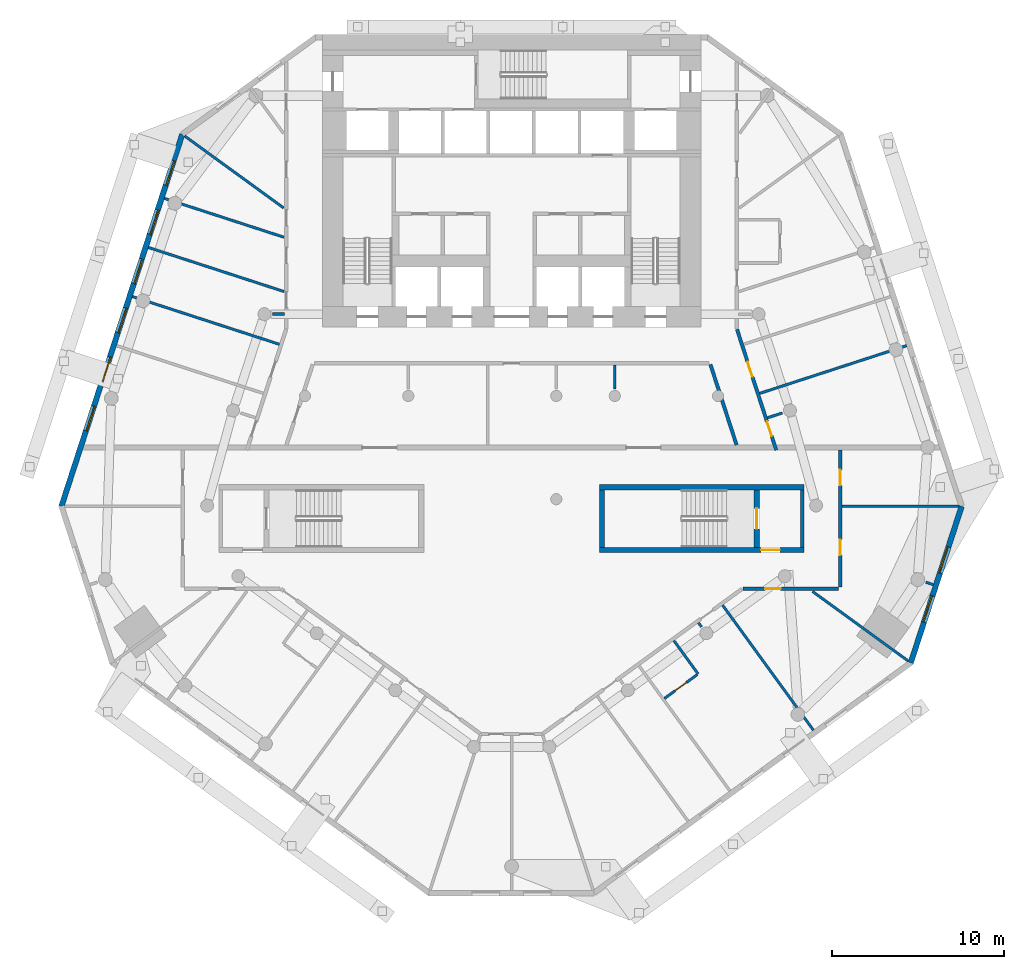
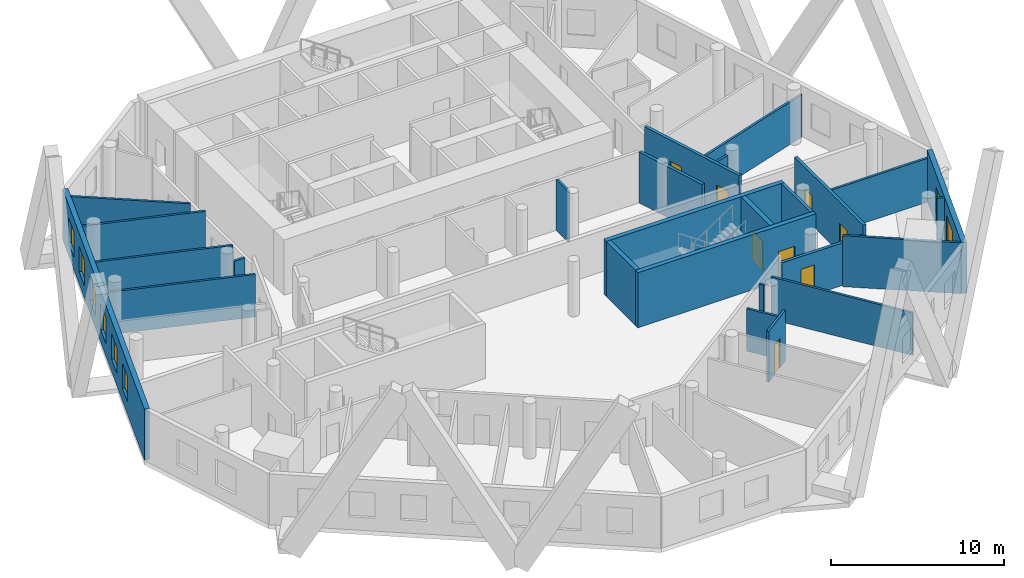
# One storey, part 5 of 10: 26 walls, 8 doors, 8 windows, 16 openings.
"""IFC4 building model written with IfcOpenShell, lengths in metres."""

import ifcopenshell
import ifcopenshell.guid

model = None  # the IFC model being written
_history = None  # IfcOwnerHistory: only IFC2X3 demands one
_inside = {}  # id of a spatial element -> (the spatial element, [elements in it])
_under = {}  # id of a project, library or spatial element -> (it, [spatial elements below it])
_declared = {}  # id of a project -> (the project, [libraries it declares])
_typed = {}  # id of a type object -> (the type object, [elements of that type])
_made_of = {}  # id of a material, layer set ... -> (it, [elements and type objects made of it])


def new_model(schema):
    """Start an empty IFC model of exactly this schema.

    Asked for "IFC4X3", IfcOpenShell would pick the latest addendum, in which some entities
    have other attributes; the version numbers below select the first issue.
    IFC2X3 requires an IfcOwnerHistory on every rooted entity: one is made here for all.
    """
    global model, _history
    if schema == "IFC4X3":
        model = ifcopenshell.file(schema_version=(4, 3, 0, 0))
    else:
        model = ifcopenshell.file(schema=schema)
    _inside.clear()
    _under.clear()
    _declared.clear()
    _typed.clear()
    _made_of.clear()
    _history = None
    if model.schema == "IFC2X3":
        org = make("IfcOrganization", Name="unknown")
        user = make(
            "IfcPersonAndOrganization",
            ThePerson=make("IfcPerson", FamilyName="unknown"),
            TheOrganization=org,
        )
        app = make(
            "IfcApplication",
            ApplicationDeveloper=org,
            Version="unknown",
            ApplicationFullName="unknown",
            ApplicationIdentifier="unknown",
        )
        _history = make(
            "IfcOwnerHistory",
            OwningUser=user,
            OwningApplication=app,
            ChangeAction="ADDED",
            CreationDate=0,
        )
    return model


def make(cls, **values):
    """One entity of the class cls with the attributes given. An attribute that is None is left unset."""
    return model.create_entity(
        cls, **{name: value for name, value in values.items() if value is not None}
    )


def rooted(cls, **values):
    """An entity with a GlobalId (a new one), such as an element, a storey or a relation."""
    return make(cls, GlobalId=ifcopenshell.guid.new(), OwnerHistory=_history, **values)


def si_unit(unit_type, name, prefix=None):
    """IfcSIUnit, for example si_unit("LENGTHUNIT", "METRE", prefix="MILLI")."""
    return make("IfcSIUnit", UnitType=unit_type, Prefix=prefix, Name=name)


def assignment(units):
    """IfcUnitAssignment: the units of a project."""
    return None if units is None else make("IfcUnitAssignment", Units=units)


def point(xyz):
    """IfcCartesianPoint."""
    return None if xyz is None else make("IfcCartesianPoint", Coordinates=xyz)


def direction(xyz):
    """IfcDirection."""
    return None if xyz is None else make("IfcDirection", DirectionRatios=xyz)


def frame(location, z_axis=None, x_axis=None):
    """IfcAxis2Placement3D, a coordinate frame: its origin and axes. An axis left out is left unset."""
    return make(
        "IfcAxis2Placement3D",
        Location=point(location),
        Axis=direction(z_axis),
        RefDirection=direction(x_axis),
    )


def frame_2d(location, x_axis=None):
    """IfcAxis2Placement2D, a coordinate frame in the plane: its origin and x axis."""
    return make(
        "IfcAxis2Placement2D", Location=point(location), RefDirection=direction(x_axis)
    )


def origin():
    """The frame at (0, 0, 0) with its axes left unset."""
    return frame((0.0, 0.0, 0.0))


def place(relative_to, where):
    """IfcLocalPlacement: puts the frame where relative to a parent placement (None: the world)."""
    return make(
        "IfcLocalPlacement", PlacementRelTo=relative_to, RelativePlacement=where
    )


def context(
    kind, dimensions, precision=None, world=None, true_north=None, identifier=None
):
    """IfcGeometricRepresentationContext, for example the 3D "Model" context."""
    return make(
        "IfcGeometricRepresentationContext",
        ContextIdentifier=identifier,
        ContextType=kind,
        CoordinateSpaceDimension=dimensions,
        Precision=precision,
        WorldCoordinateSystem=world,
        TrueNorth=true_north,
    )


def subcontext(parent, identifier, kind, view, scale=None):
    """IfcGeometricRepresentationSubContext, for example "Body" below "Model"."""
    return make(
        "IfcGeometricRepresentationSubContext",
        ContextIdentifier=identifier,
        ContextType=kind,
        ParentContext=parent,
        TargetScale=scale,
        TargetView=view,
    )


def project(units=None, contexts=None):
    """IfcProject with its units and contexts."""
    return rooted(
        "IfcProject",
        Name="project",
        RepresentationContexts=contexts,
        UnitsInContext=assignment(units),
    )


def spatial(cls, under=None, at=None, **own):
    """A site, building, storey or space (cls), placed at a placement, below another one or the project."""
    s = rooted(cls, ObjectPlacement=at, **own)
    if under is not None:
        _under.setdefault(under.id(), (under, []))[1].append(s)
    return s


def profile(cls, at=None, kind="AREA", **sizes):
    """A parametric profile (cls). Its sizes go by their IFC names, for example OverallWidth=200.0."""
    return make(cls, ProfileType=kind, Position=at, **sizes)


def rectangle(**sizes):
    """IfcRectangleProfileDef."""
    return profile("IfcRectangleProfileDef", **sizes)


def extrude(swept, where, along, depth):
    """IfcExtrudedAreaSolid: the profile swept, set in the frame where, extruded along a direction by depth."""
    return make(
        "IfcExtrudedAreaSolid",
        SweptArea=swept,
        Position=where,
        ExtrudedDirection=direction(along),
        Depth=depth,
    )


def shape(context_of_items, identifier, shape_type, items):
    """IfcShapeRepresentation: the items that make up one representation, for example the "Body"."""
    return make(
        "IfcShapeRepresentation",
        ContextOfItems=context_of_items,
        RepresentationIdentifier=identifier,
        RepresentationType=shape_type,
        Items=items,
    )


def material(Name=None, Category=None):
    """IfcMaterial."""
    return make("IfcMaterial", Name=Name, Category=Category)


def layer(
    of_material, thickness, ventilated=None, Name=None, Category=None, Priority=None
):
    """IfcMaterialLayer: one layer of a wall or slab, of a material (None: an air gap)."""
    return make(
        "IfcMaterialLayer",
        Material=of_material,
        LayerThickness=thickness,
        IsVentilated=ventilated,
        Name=Name,
        Category=Category,
        Priority=Priority,
    )


def layer_set(layers, Name=None):
    """IfcMaterialLayerSet."""
    return make("IfcMaterialLayerSet", MaterialLayers=layers, LayerSetName=Name)


def made_of(thing, what):
    """Note that an element or type object is made of a material, layer set ...; save() writes the relation."""
    if what is not None:
        _made_of.setdefault(what.id(), (what, []))[1].append(thing)
    return thing


def type_object(cls, material=None, **own):
    """A type object (cls), such as IfcWallType, which elements share."""
    return made_of(rooted(cls, **own), material)


def element(
    cls,
    number,
    at=None,
    inside=None,
    cuts=None,
    type_object=None,
    material=None,
    context=None,
    identifier="Body",
    shape_type=None,
    held_by="IfcProductDefinitionShape",
    body=None,
    shapes=None,
    **own,
):
    """One element of the class cls, such as IfcWall. Its Tag is "e" and its number.

    at: its placement. inside: the storey or other place that contains it. cuts: it is an
    opening in that element (IfcRelVoidsElement). A single representation is given by context,
    identifier, shape_type and body (its items); several are given by shapes. held_by: the class
    of the entity that holds the representations. save() writes the other relations.
    """
    e = rooted(cls, Tag="e%d" % number, ObjectPlacement=at, **own)
    if body is not None:
        shapes = [shape(context, identifier, shape_type, body)]
    if shapes is not None:
        e.Representation = make(held_by, Representations=shapes)
    if inside is not None:
        _inside.setdefault(inside.id(), (inside, []))[1].append(e)
    if cuts is not None:
        rooted(
            "IfcRelVoidsElement", RelatingBuildingElement=cuts, RelatedOpeningElement=e
        )
    if type_object is not None:
        _typed.setdefault(type_object.id(), (type_object, []))[1].append(e)
    return made_of(e, material)


def fill(opening, filler):
    """IfcRelFillsElement: the door or window that sits in an opening."""
    return rooted(
        "IfcRelFillsElement",
        RelatingOpeningElement=opening,
        RelatedBuildingElement=filler,
    )


def aggregate(whole, parts):
    """IfcRelAggregates: a whole, such as a stair, and the parts it consists of."""
    return rooted("IfcRelAggregates", RelatingObject=whole, RelatedObjects=parts)


def save(model, path):
    """Write the relations noted so far, then the file.

    IfcRelAggregates (storeys below a building ...), IfcRelContainedInSpatialStructure (elements
    in a storey), IfcRelDefinesByType, IfcRelAssociatesMaterial and IfcRelDeclares: one each for
    every whole, place, type object, material and project.
    """
    for whole, parts in _under.values():
        aggregate(whole, parts)
    for where, things in _inside.values():
        rooted(
            "IfcRelContainedInSpatialStructure",
            RelatedElements=things,
            RelatingStructure=where,
        )
    for kind, things in _typed.values():
        rooted("IfcRelDefinesByType", RelatedObjects=things, RelatingType=kind)
    for what, things in _made_of.values():
        rooted("IfcRelAssociatesMaterial", RelatedObjects=things, RelatingMaterial=what)
    for by, libraries in _declared.values():
        rooted("IfcRelDeclares", RelatingContext=by, RelatedDefinitions=libraries)
    model.write(path)


model = new_model("IFC4")

# Units and contexts
model_context = context("Model", 3, precision=1e-05, world=origin(), true_north=direction((0.0, 1.0)))
body_context = subcontext(model_context, "Body", "Model", "MODEL_VIEW")
ifc_project = project(units=[si_unit("LENGTHUNIT", "METRE"), si_unit("AREAUNIT", "SQUARE_METRE"), si_unit("VOLUMEUNIT", "CUBIC_METRE"), si_unit("PLANEANGLEUNIT", "RADIAN"), si_unit("MASSUNIT", "GRAM", prefix="KILO")], contexts=[model_context])

# Site, building, storey
site_placement = place(None, origin())
site = spatial("IfcSite", under=ifc_project, at=site_placement, CompositionType="ELEMENT")
building_placement = place(site_placement, origin())
building = spatial("IfcBuilding", under=site, at=building_placement, Name="White Candle Pilgrim Tower", CompositionType="ELEMENT")
storey_placement = place(building_placement, frame((0.0, 0.0, 42.89990234375)))
storey = spatial("IfcBuildingStorey", under=building, at=storey_placement, Name="L07", CompositionType="ELEMENT", Elevation=42.89990234375)

# Wall
ifc_material_1 = material(Name="Concrete C70/85", Category="concrete")
ifc_layer_1 = layer(ifc_material_1, 0.199951171875)
ifc_layer_set_1 = layer_set([ifc_layer_1], Name="Core wall 200 mm Concrete C70/85")
wall_type_1 = type_object("IfcWallType", Name="Core wall 200 mm Concrete C70/85", PredefinedType="SHEAR", material=ifc_layer_set_1)
wall_1_placement = place(storey_placement, frame((86.89990234375, 58.199951171875, 0.0), z_axis=(0.0, 0.0, 1.0), x_axis=(0.0, 1.0, 0.0)))
element("IfcWall", 1, at=wall_1_placement, inside=storey, type_object=wall_type_1, Name="WL-L07-C08", PredefinedType="SHEAR", context=body_context, shape_type="SweptSolid", body=[
    extrude(rectangle(XDim=3.35009765625, YDim=0.199951171875, at=frame_2d((1.675048828125, 0.0))), origin(), (0.0, 0.0, 1.0), 3.900146484375),
])

# Wall, openings, doors
ifc_material_2 = material(Name="Gypsum board on steel studs", Category="steel")
ifc_layer_2 = layer(ifc_material_2, 0.199951171875)
ifc_layer_set_2 = layer_set([ifc_layer_2], Name="Corridor wall 200 mm EI 45")
wall_type_2 = type_object("IfcWallType", Name="Corridor wall 200 mm EI 45", PredefinedType="PARTITIONING", material=ifc_layer_set_2)
wall_2_placement = place(storey_placement, frame((83.10498046875, 70.866455078125, 0.0), z_axis=(0.0, 0.0, 1.0), x_axis=(0.309020970938, -0.951055224222, 0.0)))
wall_2 = element("IfcWall", 2, at=wall_2_placement, inside=storey, type_object=wall_type_2, Name="WL-L07-P005", PredefinedType="PARTITIONING", context=body_context, shape_type="SweptSolid", body=[
    extrude(rectangle(XDim=7.37744140625, YDim=0.199951171875, at=frame_2d((3.688720703125, 0.0))), origin(), (0.0, 0.0, 1.0), 3.60009765625),
])
opening_1_placement = place(wall_2_placement, frame((1.990966796875, 0.0, 0.0)))
opening_1 = element("IfcOpeningElement", 3, at=opening_1_placement, cuts=wall_2, Name="Opening T02-130", PredefinedType="OPENING", context=body_context, shape_type="SweptSolid", body=[
    extrude(rectangle(XDim=0.89990234375, YDim=2.10009765625, at=frame_2d((0.449951171875, 1.050048828125))), frame((0.0, 0.10986328125, 0.0), z_axis=(0.0, -1.0, 0.0), x_axis=(1.0, 0.0, 0.0)), (0.0, 0.0, 1.0), 0.219970703125),
])
opening_2_placement = place(wall_2_placement, frame((5.619140625, 0.0, 0.0)))
opening_2 = element("IfcOpeningElement", 4, at=opening_2_placement, cuts=wall_2, Name="Opening T02-131", PredefinedType="OPENING", context=body_context, shape_type="SweptSolid", body=[
    extrude(rectangle(XDim=0.89990234375, YDim=2.10009765625, at=frame_2d((0.449951171875, 1.050048828125))), frame((0.0, 0.10986328125, 0.0), z_axis=(0.0, -1.0, 0.0), x_axis=(1.0, 0.0, 0.0)), (0.0, 0.0, 1.0), 0.219970703125),
])
ifc_material_3 = material(Name="Steel door leaf", Category="steel")
door_type_1 = type_object("IfcDoorType", Name="Fire door 900 x 2100 EI 30", OperationType="NOTDEFINED", PredefinedType="DOOR", material=ifc_material_3)
door_1_placement = place(opening_1_placement, origin())
door_1 = element("IfcDoor", 5, at=door_1_placement, inside=storey, type_object=door_type_1, Name="Door T02-130", OperationType="SINGLE_SWING_RIGHT", OverallHeight=2.10009765625, OverallWidth=0.89990234375, PredefinedType="DOOR", context=body_context, shape_type="SweptSolid", body=[
    extrude(rectangle(XDim=0.89990234375, YDim=2.10009765625, at=frame_2d((0.449951171875, 1.050048828125))), frame((0.0, 0.02490234375, 0.0), z_axis=(0.0, -1.0, 0.0), x_axis=(1.0, 0.0, 0.0)), (0.0, 0.0, 1.0), 0.050048828125),
])
fill(opening_1, door_1)
door_2_placement = place(opening_2_placement, origin())
door_2 = element("IfcDoor", 6, at=door_2_placement, inside=storey, type_object=door_type_1, Name="Door T02-131", OperationType="SINGLE_SWING_LEFT", OverallHeight=2.10009765625, OverallWidth=0.89990234375, PredefinedType="DOOR", context=body_context, shape_type="SweptSolid", body=[
    extrude(rectangle(XDim=0.89990234375, YDim=2.10009765625, at=frame_2d((0.449951171875, 1.050048828125))), frame((0.0, 0.02490234375, 0.0), z_axis=(0.0, -1.0, 0.0), x_axis=(1.0, 0.0, 0.0)), (0.0, 0.0, 1.0), 0.050048828125),
])
fill(opening_2, door_2)

wall_3_placement = place(storey_placement, frame((89.10009765625, 63.85009765625, 0.0), z_axis=(0.0, 0.0, 1.0), x_axis=(0.0, -1.0, 0.0)))
wall_3 = element("IfcWall", 7, at=wall_3_placement, inside=storey, type_object=wall_type_2, Name="WL-L07-P006", PredefinedType="PARTITIONING", context=body_context, shape_type="SweptSolid", body=[
    extrude(rectangle(XDim=7.9501953125, YDim=0.199951171875, at=frame_2d((3.97509765625, 0.0))), origin(), (0.0, 0.0, 1.0), 3.60009765625),
])
opening_3_placement = place(wall_3_placement, frame((5.204345703125, 0.0, 0.0)))
opening_3 = element("IfcOpeningElement", 8, at=opening_3_placement, cuts=wall_3, Name="Opening T02-115", PredefinedType="OPENING", context=body_context, shape_type="SweptSolid", body=[
    extrude(rectangle(XDim=0.89990234375, YDim=2.10009765625, at=frame_2d((0.449951171875, 1.050048828125))), frame((0.0, 0.10986328125, 0.0), z_axis=(0.0, -1.0, 0.0), x_axis=(1.0, 0.0, 0.0)), (0.0, 0.0, 1.0), 0.219970703125),
])
opening_4_placement = place(wall_3_placement, frame((1.141845703125, 0.0, 0.0)))
opening_4 = element("IfcOpeningElement", 9, at=opening_4_placement, cuts=wall_3, Name="Opening T02-132", PredefinedType="OPENING", context=body_context, shape_type="SweptSolid", body=[
    extrude(rectangle(XDim=0.89990234375, YDim=2.10009765625, at=frame_2d((0.449951171875, 1.050048828125))), frame((0.0, 0.10986328125, 0.0), z_axis=(0.0, -1.0, 0.0), x_axis=(1.0, 0.0, 0.0)), (0.0, 0.0, 1.0), 0.219970703125),
])
door_3_placement = place(opening_3_placement, origin())
door_3 = element("IfcDoor", 10, at=door_3_placement, inside=storey, type_object=door_type_1, Name="Door T02-115", OperationType="SINGLE_SWING_LEFT", OverallHeight=2.10009765625, OverallWidth=0.89990234375, PredefinedType="DOOR", context=body_context, shape_type="SweptSolid", body=[
    extrude(rectangle(XDim=0.89990234375, YDim=2.10009765625, at=frame_2d((0.449951171875, 1.050048828125))), frame((0.0, 0.02490234375, 0.0), z_axis=(0.0, -1.0, 0.0), x_axis=(1.0, 0.0, 0.0)), (0.0, 0.0, 1.0), 0.050048828125),
])
fill(opening_3, door_3)
door_4_placement = place(opening_4_placement, origin())
door_4 = element("IfcDoor", 11, at=door_4_placement, inside=storey, type_object=door_type_1, Name="Door T02-132", OperationType="SINGLE_SWING_RIGHT", OverallHeight=2.10009765625, OverallWidth=0.89990234375, PredefinedType="DOOR", context=body_context, shape_type="SweptSolid", body=[
    extrude(rectangle(XDim=0.89990234375, YDim=2.10009765625, at=frame_2d((0.449951171875, 1.050048828125))), frame((0.0, 0.02490234375, 0.0), z_axis=(0.0, -1.0, 0.0), x_axis=(1.0, 0.0, 0.0)), (0.0, 0.0, 1.0), 0.050048828125),
])
fill(opening_4, door_4)

# Wall, opening, door
wall_4_placement = place(storey_placement, frame((89.0, 55.800048828125, 0.0), z_axis=(0.0, 0.0, 1.0), x_axis=(-1.0, 0.0, 0.0)))
wall_4 = element("IfcWall", 12, at=wall_4_placement, inside=storey, type_object=wall_type_2, Name="WL-L07-P007", PredefinedType="PARTITIONING", context=body_context, shape_type="SweptSolid", body=[
    extrude(rectangle(XDim=5.55419921875, YDim=0.199951171875, at=frame_2d((2.777099609375, 0.0))), origin(), (0.0, 0.0, 1.0), 3.0),
])
opening_5_placement = place(wall_4_placement, frame((3.35791015625, 0.0, 0.0)))
opening_5 = element("IfcOpeningElement", 13, at=opening_5_placement, cuts=wall_4, Name="Opening T02-114", PredefinedType="OPENING", context=body_context, shape_type="SweptSolid", body=[
    extrude(rectangle(XDim=0.89990234375, YDim=2.10009765625, at=frame_2d((0.449951171875, 1.050048828125))), frame((0.0, 0.10986328125, 0.0), z_axis=(0.0, -1.0, 0.0), x_axis=(1.0, 0.0, 0.0)), (0.0, 0.0, 1.0), 0.219970703125),
])
door_5_placement = place(opening_5_placement, origin())
door_5 = element("IfcDoor", 14, at=door_5_placement, inside=storey, type_object=door_type_1, Name="Door T02-114", OperationType="SINGLE_SWING_RIGHT", OverallHeight=2.10009765625, OverallWidth=0.89990234375, PredefinedType="DOOR", context=body_context, shape_type="SweptSolid", body=[
    extrude(rectangle(XDim=0.89990234375, YDim=2.10009765625, at=frame_2d((0.449951171875, 1.050048828125))), frame((0.0, 0.02490234375, 0.0), z_axis=(0.0, -1.0, 0.0), x_axis=(1.0, 0.0, 0.0)), (0.0, 0.0, 1.0), 0.050048828125),
])
fill(opening_5, door_5)

# Wall
wall_5_placement = place(storey_placement, frame((83.0791015625, 64.14990234375, 0.0), z_axis=(0.0, 0.0, 1.0), x_axis=(-0.309031112369, 0.951051928965, 0.0)))
element("IfcWall", 15, at=wall_5_placement, inside=storey, type_object=wall_type_2, Name="WL-L07-P015", PredefinedType="PARTITIONING", context=body_context, shape_type="SweptSolid", body=[
    extrude(rectangle(XDim=4.921875, YDim=0.199951171875, at=frame_2d((2.4609375, 0.0))), origin(), (0.0, 0.0, 1.0), 3.60009765625),
])

# Wall, openings, windows
ifc_material_4 = material(Name="Precast concrete C40/50", Category="concrete")
ifc_layer_3 = layer(ifc_material_4, 0.320068359375)
ifc_layer_set_3 = layer_set([ifc_layer_3], Name="Facade wall EW1 precast concrete C40/50 pier wall with timber-lined reveals")
wall_type_3 = type_object("IfcWallType", Name="Facade wall EW1 precast concrete C40/50 pier wall with timber-lined reveals", PredefinedType="SOLIDWALL", material=ifc_layer_set_3)
wall_6_placement = place(storey_placement, frame((93.2021484375, 51.49072265625, 0.0), z_axis=(0.0, 0.0, 1.0), x_axis=(0.309023765379, 0.951054316236, 0.0)))
wall_6 = element("IfcWall", 16, at=wall_6_placement, inside=storey, type_object=wall_type_3, Name="Facade wall L07 E chamfer", PredefinedType="SOLIDWALL", context=body_context, shape_type="SweptSolid", body=[
    extrude(rectangle(XDim=9.56884765625, YDim=0.320068359375, at=frame_2d((4.784423828125, 0.0))), origin(), (0.0, 0.0, 1.0), 3.60009765625),
])
opening_6_placement = place(wall_6_placement, frame((2.484375, 0.0, 0.89990234375)))
opening_6 = element("IfcOpeningElement", 17, at=opening_6_placement, cuts=wall_6, Name="Opening W2", PredefinedType="OPENING", context=body_context, shape_type="SweptSolid", body=[
    extrude(rectangle(XDim=1.60009765625, YDim=1.800048828125, at=frame_2d((0.800048828125, 0.89990234375))), frame((0.0, 0.169921875, 0.0), z_axis=(0.0, -1.0, 0.0), x_axis=(1.0, 0.0, 0.0)), (0.0, 0.0, 1.0), 0.340087890625),
])
opening_7_placement = place(wall_6_placement, frame((5.484375, 0.0, 0.89990234375)))
opening_7 = element("IfcOpeningElement", 18, at=opening_7_placement, cuts=wall_6, Name="Opening W2", PredefinedType="OPENING", context=body_context, shape_type="SweptSolid", body=[
    extrude(rectangle(XDim=1.60009765625, YDim=1.800048828125, at=frame_2d((0.800048828125, 0.89990234375))), frame((0.0, 0.169921875, 0.0), z_axis=(0.0, -1.0, 0.0), x_axis=(1.0, 0.0, 0.0)), (0.0, 0.0, 1.0), 0.340087890625),
])
ifc_material_5 = material(Name="Timber frame with triple glazing", Category="wood")
window_type_1 = type_object("IfcWindowType", Name="Window W2 1600x1800 timber frame triple glazing", PartitioningType="SINGLE_PANEL", PredefinedType="WINDOW", material=ifc_material_5)
window_1_placement = place(opening_6_placement, origin())
window_1 = element("IfcWindow", 19, at=window_1_placement, inside=storey, type_object=window_type_1, Name="Window W2 L07 E chamfer 1", OverallHeight=1.800048828125, OverallWidth=1.60009765625, PartitioningType="SINGLE_PANEL", PredefinedType="WINDOW", context=body_context, shape_type="SweptSolid", body=[
    extrude(rectangle(XDim=1.60009765625, YDim=1.800048828125, at=frame_2d((0.800048828125, 0.89990234375))), frame((0.0, 0.070068359375, 0.0), z_axis=(0.0, -1.0, 0.0), x_axis=(1.0, 0.0, 0.0)), (0.0, 0.0, 1.0), 0.06005859375),
])
fill(opening_6, window_1)
window_2_placement = place(opening_7_placement, origin())
window_2 = element("IfcWindow", 20, at=window_2_placement, inside=storey, type_object=window_type_1, Name="Window W2 L07 E chamfer 2", OverallHeight=1.800048828125, OverallWidth=1.60009765625, PartitioningType="SINGLE_PANEL", PredefinedType="WINDOW", context=body_context, shape_type="SweptSolid", body=[
    extrude(rectangle(XDim=1.60009765625, YDim=1.800048828125, at=frame_2d((0.800048828125, 0.89990234375))), frame((0.0, 0.070068359375, 0.0), z_axis=(0.0, -1.0, 0.0), x_axis=(1.0, 0.0, 0.0)), (0.0, 0.0, 1.0), 0.06005859375),
])
fill(opening_7, window_2)

wall_7_placement = place(storey_placement, frame((50.864990234375, 82.20947265625, 0.0), z_axis=(0.0, 0.0, 1.0), x_axis=(-0.309017098694, -0.9510564824, 0.0)))
wall_7 = element("IfcWall", 21, at=wall_7_placement, inside=storey, type_object=wall_type_3, Name="Facade wall L07 WNW", PredefinedType="SOLIDWALL", context=body_context, shape_type="SweptSolid", body=[
    extrude(rectangle(XDim=22.730712890625, YDim=0.320068359375, at=frame_2d((11.365234375, 0.0))), origin(), (0.0, 0.0, 1.0), 3.60009765625),
])
opening_8_placement = place(wall_7_placement, frame((1.615478515625, 0.0, 0.89990234375)))
opening_8 = element("IfcOpeningElement", 22, at=opening_8_placement, cuts=wall_7, Name="Opening W1", PredefinedType="OPENING", context=body_context, shape_type="SweptSolid", body=[
    extrude(rectangle(XDim=1.5, YDim=1.800048828125, at=frame_2d((0.75, 0.89990234375))), frame((0.0, 0.169921875, 0.0), z_axis=(0.0, -1.0, 0.0), x_axis=(1.0, 0.0, 0.0)), (0.0, 0.0, 1.0), 0.340087890625),
])
opening_9_placement = place(wall_7_placement, frame((4.615478515625, 0.0, 0.89990234375)))
opening_9 = element("IfcOpeningElement", 23, at=opening_9_placement, cuts=wall_7, Name="Opening W1", PredefinedType="OPENING", context=body_context, shape_type="SweptSolid", body=[
    extrude(rectangle(XDim=1.5, YDim=1.800048828125, at=frame_2d((0.75, 0.89990234375))), frame((0.0, 0.169921875, 0.0), z_axis=(0.0, -1.0, 0.0), x_axis=(1.0, 0.0, 0.0)), (0.0, 0.0, 1.0), 0.340087890625),
])
opening_10_placement = place(wall_7_placement, frame((7.615478515625, 0.0, 0.89990234375)))
opening_10 = element("IfcOpeningElement", 24, at=opening_10_placement, cuts=wall_7, Name="Opening W1", PredefinedType="OPENING", context=body_context, shape_type="SweptSolid", body=[
    extrude(rectangle(XDim=1.5, YDim=1.800048828125, at=frame_2d((0.75, 0.89990234375))), frame((0.0, 0.169921875, 0.0), z_axis=(0.0, -1.0, 0.0), x_axis=(1.0, 0.0, 0.0)), (0.0, 0.0, 1.0), 0.340087890625),
])
opening_11_placement = place(wall_7_placement, frame((10.615478515625, 0.0, 0.89990234375)))
opening_11 = element("IfcOpeningElement", 25, at=opening_11_placement, cuts=wall_7, Name="Opening W1", PredefinedType="OPENING", context=body_context, shape_type="SweptSolid", body=[
    extrude(rectangle(XDim=1.5, YDim=1.800048828125, at=frame_2d((0.75, 0.89990234375))), frame((0.0, 0.169921875, 0.0), z_axis=(0.0, -1.0, 0.0), x_axis=(1.0, 0.0, 0.0)), (0.0, 0.0, 1.0), 0.340087890625),
])
opening_12_placement = place(wall_7_placement, frame((13.615478515625, 0.0, 0.89990234375)))
opening_12 = element("IfcOpeningElement", 26, at=opening_12_placement, cuts=wall_7, Name="Opening W1", PredefinedType="OPENING", context=body_context, shape_type="SweptSolid", body=[
    extrude(rectangle(XDim=1.5, YDim=1.800048828125, at=frame_2d((0.75, 0.89990234375))), frame((0.0, 0.169921875, 0.0), z_axis=(0.0, -1.0, 0.0), x_axis=(1.0, 0.0, 0.0)), (0.0, 0.0, 1.0), 0.340087890625),
])
opening_13_placement = place(wall_7_placement, frame((16.615478515625, 0.0, 0.89990234375)))
opening_13 = element("IfcOpeningElement", 27, at=opening_13_placement, cuts=wall_7, Name="Opening W1", PredefinedType="OPENING", context=body_context, shape_type="SweptSolid", body=[
    extrude(rectangle(XDim=1.5, YDim=1.800048828125, at=frame_2d((0.75, 0.89990234375))), frame((0.0, 0.169921875, 0.0), z_axis=(0.0, -1.0, 0.0), x_axis=(1.0, 0.0, 0.0)), (0.0, 0.0, 1.0), 0.340087890625),
])
window_type_2 = type_object("IfcWindowType", Name="Window W1 1500x1800 timber frame triple glazing", PartitioningType="SINGLE_PANEL", PredefinedType="WINDOW", material=ifc_material_5)
window_3_placement = place(opening_8_placement, origin())
window_3 = element("IfcWindow", 28, at=window_3_placement, inside=storey, type_object=window_type_2, Name="Window W1 L07 WNW 1", OverallHeight=1.800048828125, OverallWidth=1.5, PartitioningType="SINGLE_PANEL", PredefinedType="WINDOW", context=body_context, shape_type="SweptSolid", body=[
    extrude(rectangle(XDim=1.5, YDim=1.800048828125, at=frame_2d((0.75, 0.89990234375))), frame((0.0, 0.070068359375, 0.0), z_axis=(0.0, -1.0, 0.0), x_axis=(1.0, 0.0, 0.0)), (0.0, 0.0, 1.0), 0.06005859375),
])
fill(opening_8, window_3)
window_4_placement = place(opening_9_placement, origin())
window_4 = element("IfcWindow", 29, at=window_4_placement, inside=storey, type_object=window_type_2, Name="Window W1 L07 WNW 2", OverallHeight=1.800048828125, OverallWidth=1.5, PartitioningType="SINGLE_PANEL", PredefinedType="WINDOW", context=body_context, shape_type="SweptSolid", body=[
    extrude(rectangle(XDim=1.5, YDim=1.800048828125, at=frame_2d((0.75, 0.89990234375))), frame((0.0, 0.070068359375, 0.0), z_axis=(0.0, -1.0, 0.0), x_axis=(1.0, 0.0, 0.0)), (0.0, 0.0, 1.0), 0.06005859375),
])
fill(opening_9, window_4)
window_5_placement = place(opening_10_placement, origin())
window_5 = element("IfcWindow", 30, at=window_5_placement, inside=storey, type_object=window_type_2, Name="Window W1 L07 WNW 3", OverallHeight=1.800048828125, OverallWidth=1.5, PartitioningType="SINGLE_PANEL", PredefinedType="WINDOW", context=body_context, shape_type="SweptSolid", body=[
    extrude(rectangle(XDim=1.5, YDim=1.800048828125, at=frame_2d((0.75, 0.89990234375))), frame((0.0, 0.070068359375, 0.0), z_axis=(0.0, -1.0, 0.0), x_axis=(1.0, 0.0, 0.0)), (0.0, 0.0, 1.0), 0.06005859375),
])
fill(opening_10, window_5)
window_6_placement = place(opening_11_placement, origin())
window_6 = element("IfcWindow", 31, at=window_6_placement, inside=storey, type_object=window_type_2, Name="Window W1 L07 WNW 4", OverallHeight=1.800048828125, OverallWidth=1.5, PartitioningType="SINGLE_PANEL", PredefinedType="WINDOW", context=body_context, shape_type="SweptSolid", body=[
    extrude(rectangle(XDim=1.5, YDim=1.800048828125, at=frame_2d((0.75, 0.89990234375))), frame((0.0, 0.070068359375, 0.0), z_axis=(0.0, -1.0, 0.0), x_axis=(1.0, 0.0, 0.0)), (0.0, 0.0, 1.0), 0.06005859375),
])
fill(opening_11, window_6)
window_7_placement = place(opening_12_placement, origin())
window_7 = element("IfcWindow", 32, at=window_7_placement, inside=storey, type_object=window_type_2, Name="Window W1 L07 WNW 5", OverallHeight=1.800048828125, OverallWidth=1.5, PartitioningType="SINGLE_PANEL", PredefinedType="WINDOW", context=body_context, shape_type="SweptSolid", body=[
    extrude(rectangle(XDim=1.5, YDim=1.800048828125, at=frame_2d((0.75, 0.89990234375))), frame((0.0, 0.070068359375, 0.0), z_axis=(0.0, -1.0, 0.0), x_axis=(1.0, 0.0, 0.0)), (0.0, 0.0, 1.0), 0.06005859375),
])
fill(opening_12, window_7)
window_8_placement = place(opening_13_placement, origin())
window_8 = element("IfcWindow", 33, at=window_8_placement, inside=storey, type_object=window_type_2, Name="Window W1 L07 WNW 6", OverallHeight=1.800048828125, OverallWidth=1.5, PartitioningType="SINGLE_PANEL", PredefinedType="WINDOW", context=body_context, shape_type="SweptSolid", body=[
    extrude(rectangle(XDim=1.5, YDim=1.800048828125, at=frame_2d((0.75, 0.89990234375))), frame((0.0, 0.070068359375, 0.0), z_axis=(0.0, -1.0, 0.0), x_axis=(1.0, 0.0, 0.0)), (0.0, 0.0, 1.0), 0.06005859375),
])
fill(opening_13, window_8)

# Walls
ifc_layer_4 = layer(ifc_material_2, 0.14990234375)
ifc_layer_set_4 = layer_set([ifc_layer_4], Name="Partition 150 mm EI 60")
wall_type_4 = type_object("IfcWallType", Name="Partition 150 mm EI 60", PredefinedType="PARTITIONING", material=ifc_layer_set_4)
wall_8_placement = place(storey_placement, frame((51.001220703125, 82.110595703125, 0.0), z_axis=(0.0, 0.0, 1.0), x_axis=(0.809006123185, -0.587800214911, 0.0)))
element("IfcWall", 34, at=wall_8_placement, inside=storey, type_object=wall_type_4, Name="WL-L07-P016", PredefinedType="PARTITIONING", context=body_context, shape_type="SweptSolid", body=[
    extrude(rectangle(XDim=7.11328125, YDim=0.14990234375, at=frame_2d((3.556640625, 0.0))), origin(), (0.0, 0.0, 1.0), 3.10009765625),
])
wall_9_placement = place(storey_placement, frame((93.06591796875, 51.589599609375, 0.0), z_axis=(0.0, 0.0, 1.0), x_axis=(-0.809011812166, 0.587792384925, 0.0)))
element("IfcWall", 35, at=wall_9_placement, inside=storey, type_object=wall_type_4, Name="WL-L07-P021", PredefinedType="PARTITIONING", context=body_context, shape_type="SweptSolid", body=[
    extrude(rectangle(XDim=6.889892578125, YDim=0.14990234375, at=frame_2d((3.44482421875, 0.0))), origin(), (0.0, 0.0, 1.0), 3.60009765625),
])
wall_10_placement = place(storey_placement, frame((95.99072265625, 60.59130859375, 0.0), z_axis=(0.0, 0.0, 1.0), x_axis=(-1.0, 0.0, 0.0)))
element("IfcWall", 36, at=wall_10_placement, inside=storey, type_object=wall_type_4, Name="WL-L07-P022", PredefinedType="PARTITIONING", context=body_context, shape_type="SweptSolid", body=[
    extrude(rectangle(XDim=6.790771484375, YDim=0.14990234375, at=frame_2d((3.3955078125, 0.0))), origin(), (0.0, 0.0, 1.0), 3.10009765625),
])
wall_11_placement = place(storey_placement, frame((49.82275390625, 78.48388671875, 0.0), z_axis=(0.0, 0.0, 1.0), x_axis=(0.951056640207, -0.309016613015, 0.0)))
element("IfcWall", 37, at=wall_11_placement, inside=storey, type_object=wall_type_4, Name="WL-L07-P025", PredefinedType="PARTITIONING", context=body_context, shape_type="SweptSolid", body=[
    extrude(rectangle(XDim=7.31201171875, YDim=0.14990234375, at=frame_2d((3.656005859375, 0.0))), origin(), (0.0, 0.0, 1.0), 3.60009765625),
])
wall_12_placement = place(storey_placement, frame((48.895751953125, 75.630615234375, 0.0), z_axis=(0.0, 0.0, 1.0), x_axis=(0.95105420195, -0.309024117105, 0.0)))
element("IfcWall", 38, at=wall_12_placement, inside=storey, type_object=wall_type_4, Name="WL-L07-P026", PredefinedType="PARTITIONING", context=body_context, shape_type="SweptSolid", body=[
    extrude(rectangle(XDim=8.28662109375, YDim=0.14990234375, at=frame_2d((4.143310546875, 0.0))), origin(), (0.0, 0.0, 1.0), 3.10009765625),
])
for number, where, z_axis, x_axis, name in (
    (39, (47.96875, 72.777587890625, 0.0), (0.0, 0.0, 1.0), (0.951051249243, -0.309033204224, 0.0), "WL-L07-P027"),
    (40, (87.54345703125, 47.5771484375, 0.0), (0.0, 0.0, 1.0), (-0.587790127827, 0.809013452069, 0.0), "WL-L07-P038"),
):
    element("IfcWall", number, at=place(storey_placement, frame(where, z_axis=z_axis, x_axis=x_axis)), inside=storey, type_object=wall_type_4, Name=name, PredefinedType="PARTITIONING", context=body_context, shape_type="SweptSolid", body=[
        extrude(rectangle(XDim=8.97998046875, YDim=0.14990234375, at=frame_2d((4.489990234375, 0.0))), origin(), (0.0, 0.0, 1.0), 3.0),
    ])
wall_13_placement = place(storey_placement, frame((79.43359375, 52.784912109375, 0.0), z_axis=(0.0, 0.0, 1.0), x_axis=(0.587772420479, -0.809026317077, 0.0)))
element("IfcWall", 41, at=wall_13_placement, inside=storey, type_object=wall_type_4, Name="WL-L07-P039", PredefinedType="PARTITIONING", context=body_context, shape_type="SweptSolid", body=[
    extrude(rectangle(XDim=2.39990234375, YDim=0.14990234375, at=frame_2d((1.199951171875, 0.0))), origin(), (0.0, 0.0, 1.0), 3.0),
])

# Wall, opening, door
wall_14_placement = place(storey_placement, frame((78.88232421875, 49.41796875, 0.0), z_axis=(0.0, 0.0, 1.0), x_axis=(0.808996573949, 0.587813357571, 0.0)))
wall_14 = element("IfcWall", 42, at=wall_14_placement, inside=storey, type_object=wall_type_4, Name="WL-L07-P040", PredefinedType="PARTITIONING", context=body_context, shape_type="SweptSolid", body=[
    extrude(rectangle(XDim=2.35009765625, YDim=0.14990234375, at=frame_2d((1.175048828125, 0.0))), origin(), (0.0, 0.0, 1.0), 3.60009765625),
])
opening_14_placement = place(wall_14_placement, frame((0.77490234375, 0.0, 0.0)))
opening_14 = element("IfcOpeningElement", 43, at=opening_14_placement, cuts=wall_14, Name="Opening T02-112", PredefinedType="OPENING", context=body_context, shape_type="SweptSolid", body=[
    extrude(rectangle(XDim=0.800048828125, YDim=2.10009765625, at=frame_2d((0.39990234375, 1.050048828125))), frame((0.0, 0.0849609375, 0.0), z_axis=(0.0, -1.0, 0.0), x_axis=(1.0, 0.0, 0.0)), (0.0, 0.0, 1.0), 0.169921875),
])
door_type_2 = type_object("IfcDoorType", Name="Fire door 800 x 2100 EI 30", OperationType="NOTDEFINED", PredefinedType="DOOR", material=ifc_material_3)
door_6_placement = place(opening_14_placement, frame((0.800048828125, 0.0, 0.0), z_axis=(0.0, 0.0, 1.0), x_axis=(-1.0, 0.0, 0.0)))
door_6 = element("IfcDoor", 44, at=door_6_placement, inside=storey, type_object=door_type_2, Name="Door T02-112", OperationType="SINGLE_SWING_LEFT", OverallHeight=2.10009765625, OverallWidth=0.800048828125, PredefinedType="DOOR", context=body_context, shape_type="SweptSolid", body=[
    extrude(rectangle(XDim=0.800048828125, YDim=2.10009765625, at=frame_2d((0.39990234375, 1.050048828125))), frame((0.0, 0.02490234375, 0.0), z_axis=(0.0, -1.0, 0.0), x_axis=(1.0, 0.0, 0.0)), (0.0, 0.0, 1.0), 0.050048828125),
])
fill(opening_14, door_6)

# Walls
wall_15_placement = place(storey_placement, frame((92.958251953125, 69.92431640625, 0.0), z_axis=(0.0, 0.0, 1.0), x_axis=(-0.951059239389, -0.309008613427, 0.0)))
element("IfcWall", 45, at=wall_15_placement, inside=storey, type_object=wall_type_4, Name="WL-L07-P041", PredefinedType="PARTITIONING", context=body_context, shape_type="SweptSolid", body=[
    extrude(rectangle(XDim=8.97998046875, YDim=0.14990234375, at=frame_2d((4.489990234375, 0.0))), origin(), (0.0, 0.0, 1.0), 3.0),
])
wall_16_placement = place(storey_placement, frame((94.07470703125, 56.1748046875, 0.0), z_axis=(0.0, 0.0, 1.0), x_axis=(0.951108522522, -0.308856889815, 0.0)))
element("IfcWall", 46, at=wall_16_placement, inside=storey, type_object=wall_type_4, Name="WL-L07-P050", PredefinedType="PARTITIONING", context=body_context, shape_type="SweptSolid", body=[
    extrude(rectangle(XDim=0.457763671875, YDim=0.14990234375, at=frame_2d((0.22900390625, 0.0))), origin(), (0.0, 0.0, 1.0), 3.60009765625),
])
wall_17_placement = place(storey_placement, frame((81.039306640625, 53.58056640625, 0.0), z_axis=(0.0, 0.0, 1.0), x_axis=(-0.588220071792, 0.808700900915, 0.0)))
element("IfcWall", 47, at=wall_17_placement, inside=storey, type_object=wall_type_4, Name="WL-L07-P053", PredefinedType="PARTITIONING", context=body_context, shape_type="SweptSolid", body=[
    extrude(rectangle(XDim=0.300048828125, YDim=0.14990234375, at=frame_2d((0.14990234375, 0.0))), origin(), (0.0, 0.0, 1.0), 3.60009765625),
])
wall_18_placement = place(storey_placement, frame((85.739013671875, 66.012939453125, 0.0), z_axis=(0.0, 0.0, 1.0), x_axis=(-0.951055863971, -0.309019002016, 0.0)))
element("IfcWall", 48, at=wall_18_placement, inside=storey, type_object=wall_type_4, Name="WL-L07-P054", PredefinedType="PARTITIONING", context=body_context, shape_type="SweptSolid", body=[
    extrude(rectangle(XDim=0.905517578125, YDim=0.14990234375, at=frame_2d((0.45263671875, 0.0))), origin(), (0.0, 0.0, 1.0), 3.60009765625),
])
wall_19_placement = place(storey_placement, frame((56.10498046875, 71.76220703125, 0.0), z_axis=(0.0, 0.0, 1.0), x_axis=(1.0, 0.0, 0.0)))
element("IfcWall", 49, at=wall_19_placement, inside=storey, type_object=wall_type_4, Name="WL-L07-P056", PredefinedType="PARTITIONING", context=body_context, shape_type="SweptSolid", body=[
    extrude(rectangle(XDim=0.695068359375, YDim=0.14990234375, at=frame_2d((0.34765625, 0.0))), origin(), (0.0, 0.0, 1.0), 3.0),
])
wall_20_placement = place(storey_placement, frame((75.997802734375, 67.4150390625, 0.0), z_axis=(0.0, 0.0, 1.0), x_axis=(0.0, 1.0, 0.0)))
element("IfcWall", 50, at=wall_20_placement, inside=storey, type_object=wall_type_4, Name="WL-L07-P060", PredefinedType="PARTITIONING", context=body_context, shape_type="SweptSolid", body=[
    extrude(rectangle(XDim=1.385009765625, YDim=0.14990234375, at=frame_2d((0.6923828125, 0.0))), origin(), (0.0, 0.0, 1.0), 3.60009765625),
])

# Wall, opening, door
ifc_layer_5 = layer(ifc_material_1, 0.300048828125)
ifc_layer_set_5 = layer_set([ifc_layer_5], Name="Stair shaft wall 300 mm Concrete C70/85")
wall_type_5 = type_object("IfcWallType", Name="Stair shaft wall 300 mm Concrete C70/85", PredefinedType="SHEAR", material=ifc_layer_set_5)
wall_21_placement = place(storey_placement, frame((75.10009765625, 58.050048828125, 0.0), z_axis=(0.0, 0.0, 1.0), x_axis=(1.0, 0.0, 0.0)))
wall_21 = element("IfcWall", 51, at=wall_21_placement, inside=storey, type_object=wall_type_5, Name="WL-L07-C02", PredefinedType="SHEAR", context=body_context, shape_type="SweptSolid", body=[
    extrude(rectangle(XDim=11.89990234375, YDim=0.300048828125, at=frame_2d((5.949951171875, 0.0))), origin(), (0.0, 0.0, 1.0), 3.900146484375),
])
opening_15_placement = place(wall_21_placement, frame((9.39990234375, 0.0, 0.0)))
opening_15 = element("IfcOpeningElement", 52, at=opening_15_placement, cuts=wall_21, Name="Opening T02-009", PredefinedType="OPENING", context=body_context, shape_type="SweptSolid", body=[
    extrude(rectangle(XDim=1.10009765625, YDim=2.10009765625, at=frame_2d((0.550048828125, 1.050048828125))), frame((0.0, 0.159912109375, 0.0), z_axis=(0.0, -1.0, 0.0), x_axis=(1.0, 0.0, 0.0)), (0.0, 0.0, 1.0), 0.320068359375),
])
door_type_3 = type_object("IfcDoorType", Name="Fire door 1100 x 2100 EI 60", OperationType="NOTDEFINED", PredefinedType="DOOR", material=ifc_material_3)
door_7_placement = place(opening_15_placement, origin())
door_7 = element("IfcDoor", 53, at=door_7_placement, inside=storey, type_object=door_type_3, Name="Door T02-009", OperationType="SINGLE_SWING_LEFT", OverallHeight=2.10009765625, OverallWidth=1.10009765625, PredefinedType="DOOR", context=body_context, shape_type="SweptSolid", body=[
    extrude(rectangle(XDim=1.10009765625, YDim=2.10009765625, at=frame_2d((0.550048828125, 1.050048828125))), frame((0.0, 0.02490234375, 0.0), z_axis=(0.0, -1.0, 0.0), x_axis=(1.0, 0.0, 0.0)), (0.0, 0.0, 1.0), 0.050048828125),
])
fill(opening_15, door_7)

# Wall
wall_22_placement = place(storey_placement, frame((75.25, 58.199951171875, 0.0), z_axis=(0.0, 0.0, 1.0), x_axis=(0.0, 1.0, 0.0)))
element("IfcWall", 54, at=wall_22_placement, inside=storey, type_object=wall_type_5, Name="WL-L07-C06", PredefinedType="SHEAR", context=body_context, shape_type="SweptSolid", body=[
    extrude(rectangle(XDim=3.35009765625, YDim=0.300048828125, at=frame_2d((1.675048828125, 0.0))), origin(), (0.0, 0.0, 1.0), 3.900146484375),
])

# Wall, opening, door
wall_23_placement = place(storey_placement, frame((84.25, 58.199951171875, 0.0), z_axis=(0.0, 0.0, 1.0), x_axis=(0.0, 1.0, 0.0)))
wall_23 = element("IfcWall", 55, at=wall_23_placement, inside=storey, type_object=wall_type_5, Name="WL-L07-C07", PredefinedType="SHEAR", context=body_context, shape_type="SweptSolid", body=[
    extrude(rectangle(XDim=3.35009765625, YDim=0.300048828125, at=frame_2d((1.675048828125, 0.0))), origin(), (0.0, 0.0, 1.0), 3.900146484375),
])
opening_16_placement = place(wall_23_placement, frame((1.074951171875, 0.0, 0.0)))
opening_16 = element("IfcOpeningElement", 56, at=opening_16_placement, cuts=wall_23, Name="Opening T02-010", PredefinedType="OPENING", context=body_context, shape_type="SweptSolid", body=[
    extrude(rectangle(XDim=1.199951171875, YDim=2.10009765625, at=frame_2d((0.60009765625, 1.050048828125))), frame((0.0, 0.159912109375, 0.0), z_axis=(0.0, -1.0, 0.0), x_axis=(1.0, 0.0, 0.0)), (0.0, 0.0, 1.0), 0.320068359375),
])
door_type_4 = type_object("IfcDoorType", Name="Fire door 1200 x 2100 EI 60", OperationType="NOTDEFINED", PredefinedType="DOOR", material=ifc_material_3)
door_8_placement = place(opening_16_placement, origin())
door_8 = element("IfcDoor", 57, at=door_8_placement, inside=storey, type_object=door_type_4, Name="Door T02-010", OperationType="SINGLE_SWING_RIGHT", OverallHeight=2.10009765625, OverallWidth=1.199951171875, PredefinedType="DOOR", context=body_context, shape_type="SweptSolid", body=[
    extrude(rectangle(XDim=1.199951171875, YDim=2.10009765625, at=frame_2d((0.60009765625, 1.050048828125))), frame((0.0, 0.02490234375, 0.0), z_axis=(0.0, -1.0, 0.0), x_axis=(1.0, 0.0, 0.0)), (0.0, 0.0, 1.0), 0.050048828125),
])
fill(opening_16, door_8)

# Wall
wall_24_placement = place(storey_placement, frame((75.10009765625, 61.699951171875, 0.0), z_axis=(0.0, 0.0, 1.0), x_axis=(1.0, 0.0, 0.0)))
element("IfcWall", 58, at=wall_24_placement, inside=storey, type_object=wall_type_5, Name="WL-L07-C10", PredefinedType="SHEAR", context=body_context, shape_type="SweptSolid", body=[
    extrude(rectangle(XDim=11.89990234375, YDim=0.300048828125, at=frame_2d((5.949951171875, 0.0))), origin(), (0.0, 0.0, 1.0), 3.900146484375),
])

save(model, "model.ifc")
